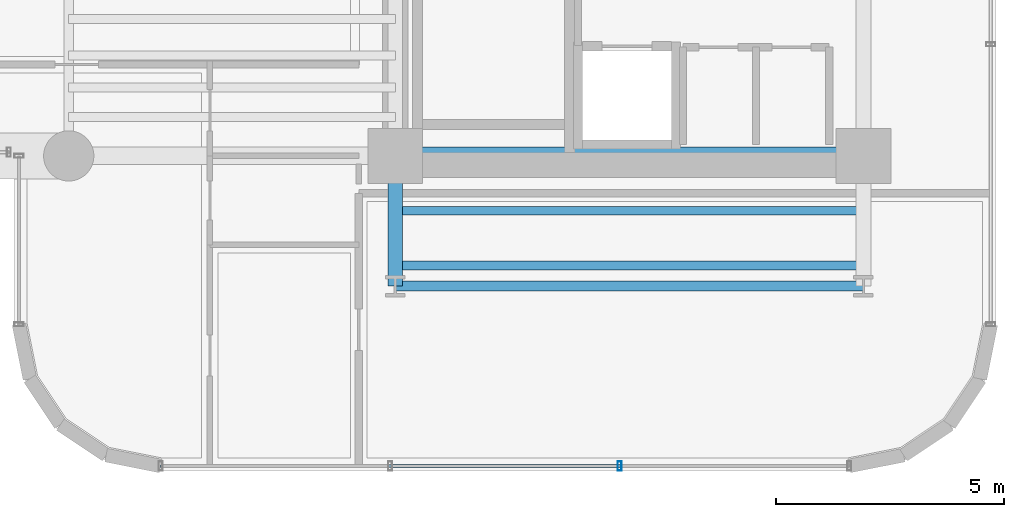
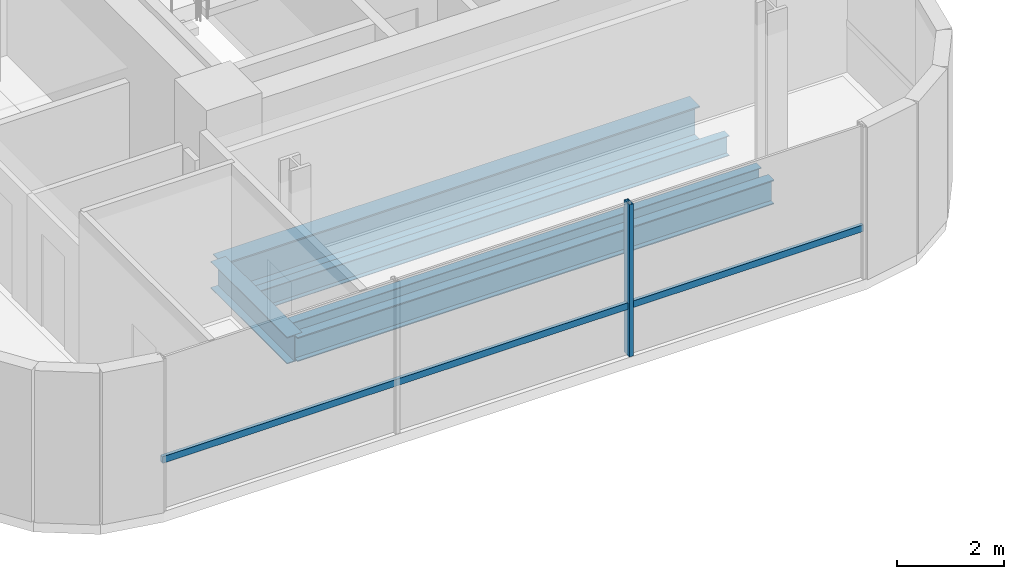
# One storey, part 3 of 34: 5 beams, 2 members, 1 element without a shape of its own.
"""IFC4 building model written with IfcOpenShell, lengths in metres."""

from ifc_helpers import new_model, si_unit, direction, frame, origin, origin_2d, place, context, subcontext, project, spatial, hollow_rectangle, i_section, extrude, source, transform, mapped, material, material_profile, profile_set, type_object, element, aggregate, save


model = new_model("IFC4")

# Units and contexts
model_context = context("Model", 3, precision=1e-05, world=origin(), true_north=direction((0.0, 1.0)))
body_context = subcontext(model_context, "Body", "Model", "MODEL_VIEW")
ifc_project = project(units=[si_unit("LENGTHUNIT", "METRE"), si_unit("AREAUNIT", "SQUARE_METRE"), si_unit("VOLUMEUNIT", "CUBIC_METRE"), si_unit("PLANEANGLEUNIT", "RADIAN"), si_unit("MASSUNIT", "GRAM", prefix="KILO")], contexts=[model_context])

# Site, building, storey
site_placement = place(None, origin())
site = spatial("IfcSite", under=ifc_project, at=site_placement, CompositionType="ELEMENT")
building_placement = place(site_placement, origin())
building = spatial("IfcBuilding", under=site, at=building_placement, Name="Valdorenza Pilgrim Sanctuary Tower", CompositionType="ELEMENT")
storey_placement = place(building_placement, frame((0.0, 0.0, 161.199951171875)))
storey = spatial("IfcBuildingStorey", under=building, at=storey_placement, Name="L41", CompositionType="ELEMENT", Elevation=161.199951171875)

# Beams
ifc_material_1 = material(Name="Steel ASTM A992 Grade 50", Category="steel")
ifc_material_profile_1 = material_profile(ifc_material_1, i_section(OverallWidth=0.214111328125, OverallDepth=0.549072265625, WebThickness=0.0146484375, FlangeThickness=0.023681640625, at=origin_2d()), Name="W21X93")
ifc_profile_set_1 = profile_set([ifc_material_profile_1], Name="Steel ASTM A992 Grade 50")
beam_type_1 = type_object("IfcBeamType", Name="STR-BM-SPN-W21A", PredefinedType="SPANDREL", material=ifc_profile_set_1)
shared_shape_1 = source(origin(), body_context, "Body", "SweptSolid", [
    extrude(i_section(OverallWidth=0.214111328125, OverallDepth=0.549072265625, WebThickness=0.0146484375, FlangeThickness=0.023681640625, at=origin_2d()), origin(), (0.0, 0.0, 1.0), 10.25),
])
beam_1_placement = place(storey_placement, frame((-22.64990234375, -13.449951171875, -0.514404296875), z_axis=(1.0, 0.0, 0.0), x_axis=(0.0, 1.0, 0.0)))
element("IfcBeam", 1, at=beam_1_placement, inside=storey, type_object=beam_type_1, Name="L41 South Spandrel WA-S-TIE", PredefinedType="SPANDREL", context=body_context, shape_type="MappedRepresentation", body=[
    mapped(shared_shape_1, transform((0.0, 0.0, 0.0), x_axis=(1.0, 0.0, 0.0), y_axis=(0.0, 1.0, 0.0), z_axis=(0.0, 0.0, 1.0), scale=1.0)),
])
ifc_material_profile_2 = material_profile(ifc_material_1, i_section(OverallWidth=0.323974609375, OverallDepth=0.611083984375, WebThickness=0.0126953125, FlangeThickness=0.01904296875, at=origin_2d()), Name="W24X104")
ifc_profile_set_2 = profile_set([ifc_material_profile_2], Name="Steel ASTM A992 Grade 50")
beam_type_2 = type_object("IfcBeamType", Name="STR-BM-GRD-W24B", PredefinedType="BEAM", material=ifc_profile_set_2)
shared_shape_2 = source(origin(), body_context, "Body", "SweptSolid", [
    extrude(i_section(OverallWidth=0.323974609375, OverallDepth=0.611083984375, WebThickness=0.0126953125, FlangeThickness=0.01904296875, at=origin_2d()), origin(), (0.0, 0.0, 1.0), 2.849853515625),
])
beam_2_placement = place(storey_placement, frame((-22.64990234375, -13.449951171875, -0.54541015625), z_axis=(0.0, 1.0, 0.0), x_axis=(-1.0, 0.0, 0.0)))
element("IfcBeam", 2, at=beam_2_placement, inside=storey, type_object=beam_type_2, Name="L41 Floor Girder WA-S-LW", PredefinedType="BEAM", context=body_context, shape_type="MappedRepresentation", body=[
    mapped(shared_shape_2, transform((0.0, 0.0, 0.0), x_axis=(1.0, 0.0, 0.0), y_axis=(0.0, 1.0, 0.0), z_axis=(0.0, 0.0, 1.0), scale=1.0)),
])
ifc_material_profile_3 = material_profile(ifc_material_1, i_section(OverallWidth=0.382080078125, OverallDepth=0.779052734375, WebThickness=0.01806640625, FlangeThickness=0.030029296875, at=origin_2d()), Name="W30X191")
ifc_profile_set_3 = profile_set([ifc_material_profile_3], Name="Steel ASTM A992 Grade 50")
beam_type_3 = type_object("IfcBeamType", Name="STR-BM-GRD-W30", PredefinedType="BEAM", material=ifc_profile_set_3)
shared_shape_3 = source(origin(), body_context, "Body", "SweptSolid", [
    extrude(i_section(OverallWidth=0.382080078125, OverallDepth=0.779052734375, WebThickness=0.01806640625, FlangeThickness=0.030029296875, at=origin_2d()), origin(), (0.0, 0.0, 1.0), 10.25),
])
beam_3_placement = place(storey_placement, frame((-22.64990234375, -10.60009765625, -0.62939453125), z_axis=(1.0, 0.0, 0.0), x_axis=(0.0, 1.0, 0.0)))
element("IfcBeam", 3, at=beam_3_placement, inside=storey, type_object=beam_type_3, Name="L41 Floor Girder CA-XC-S1", PredefinedType="BEAM", context=body_context, shape_type="MappedRepresentation", body=[
    mapped(shared_shape_3, transform((0.0, 0.0, 0.0), x_axis=(1.0, 0.0, 0.0), y_axis=(0.0, 1.0, 0.0), z_axis=(0.0, 0.0, 1.0), scale=1.0)),
])
ifc_material_profile_4 = material_profile(ifc_material_1, i_section(OverallWidth=0.19091796875, OverallDepth=0.45703125, WebThickness=0.009033203125, FlangeThickness=0.014404296875, at=origin_2d()), Name="W18X50")
ifc_profile_set_4 = profile_set([ifc_material_profile_4], Name="Steel ASTM A992 Grade 50")
beam_type_4 = type_object("IfcBeamType", Name="STR-BM-JST-W18B", PredefinedType="JOIST", material=ifc_profile_set_4)
shared_shape_4 = source(origin(), body_context, "Body", "SweptSolid", [
    extrude(i_section(OverallWidth=0.19091796875, OverallDepth=0.45703125, WebThickness=0.009033203125, FlangeThickness=0.014404296875, at=origin_2d()), origin(), (0.0, 0.0, 1.0), 10.25),
])
for number, where, z_axis, x_axis, name in (
    (4, (-22.64990234375, -13.0, -0.468505859375), (1.0, 0.0, 0.0), (0.0, 1.0, 0.0), "L41 Composite Floor Joist JST-WAS-1"),
    (5, (-22.64990234375, -11.800048828125, -0.468505859375), (1.0, 0.0, 0.0), (0.0, 1.0, 0.0), "L41 Composite Floor Joist JST-WAS-2"),
):
    element("IfcBeam", number, at=place(storey_placement, frame(where, z_axis=z_axis, x_axis=x_axis)), inside=storey, type_object=beam_type_4, Name=name, PredefinedType="JOIST", context=body_context, shape_type="MappedRepresentation", body=[
        mapped(shared_shape_4, transform((0.0, 0.0, 0.0), x_axis=(1.0, 0.0, 0.0), y_axis=(0.0, 1.0, 0.0), z_axis=(0.0, 0.0, 1.0), scale=1.0)),
    ])

# Curtain wall, members
ifc_material_2 = material(Name="Curtain-wall IGU glazing", Category="glass")
curtain_wall_type = type_object("IfcCurtainWallType", Name="CW-SYS-02", PredefinedType="NOTDEFINED", material=ifc_material_2)
curtain_wall_placement = place(storey_placement, origin())
curtain_wall = element("IfcCurtainWall", 6, at=curtain_wall_placement, inside=storey, type_object=curtain_wall_type, Name="L41 Curtain Wall CW-L41-1-26", PredefinedType="NOTDEFINED")
ifc_material_3 = material(Name="Anodised aluminium AW-6060", Category="aluminium")
ifc_material_profile_5 = material_profile(ifc_material_3, hollow_rectangle(XDim=0.0849609375, YDim=0.199951171875, WallThickness=0.0048828125, at=origin_2d()), Name="ALU-M 200x85x5")
ifc_profile_set_5 = profile_set([ifc_material_profile_5], Name="Anodised aluminium AW-6060")
member_type_1 = type_object("IfcMemberType", Name="CW-MUL-02", PredefinedType="MULLION", material=ifc_profile_set_5)
shared_shape_5 = source(origin(), body_context, "Body", "SweptSolid", [
    extrude(hollow_rectangle(XDim=0.0849609375, YDim=0.199951171875, WallThickness=0.0048828125, at=origin_2d()), origin(), (0.0, 0.0, 1.0), 3.4599609375),
])
member_1_placement = place(storey_placement, frame((-17.73681640625, -17.389892578125, 0.0), z_axis=(0.0, 0.0, 1.0), x_axis=(-1.0, 0.0, 0.0)))
member_1 = element("IfcMember", 7, at=member_1_placement, type_object=member_type_1, Name="CW-L41-1-26 Mullion 2", PredefinedType="MULLION", context=body_context, shape_type="MappedRepresentation", body=[
    mapped(shared_shape_5, transform((0.0, 0.0, 0.0), x_axis=(1.0, 0.0, 0.0), y_axis=(0.0, 1.0, 0.0), z_axis=(0.0, 0.0, 1.0), scale=1.0)),
])
ifc_material_profile_6 = material_profile(ifc_material_3, hollow_rectangle(XDim=0.074951171875, YDim=0.14990234375, WallThickness=0.00390625, at=origin_2d()), Name="ALU-T 150x75x4")
ifc_profile_set_6 = profile_set([ifc_material_profile_6], Name="Anodised aluminium AW-6060")
member_type_2 = type_object("IfcMemberType", Name="CW-TRN-02", PredefinedType="USERDEFINED", material=ifc_profile_set_6)
shared_shape_6 = source(origin(), body_context, "Body", "SweptSolid", [
    extrude(hollow_rectangle(XDim=0.074951171875, YDim=0.14990234375, WallThickness=0.00390625, at=origin_2d()), origin(), (0.0, 0.0, 1.0), 15.07861328125),
])
member_2_placement = place(storey_placement, frame((-12.710693359375, -17.389892578125, 1.1201171875), z_axis=(-1.0, 0.0, 0.0), x_axis=(0.0, -1.0, 0.0)))
member_2 = element("IfcMember", 8, at=member_2_placement, type_object=member_type_2, Name="CW-L41-1-26 Transom 1", ObjectType="TRANSOM", PredefinedType="USERDEFINED", context=body_context, shape_type="MappedRepresentation", body=[
    mapped(shared_shape_6, transform((0.0, 0.0, 0.0), x_axis=(1.0, 0.0, 0.0), y_axis=(0.0, 1.0, 0.0), z_axis=(0.0, 0.0, 1.0), scale=1.0)),
])
aggregate(curtain_wall, [member_1, member_2])

save(model, "model.ifc")
